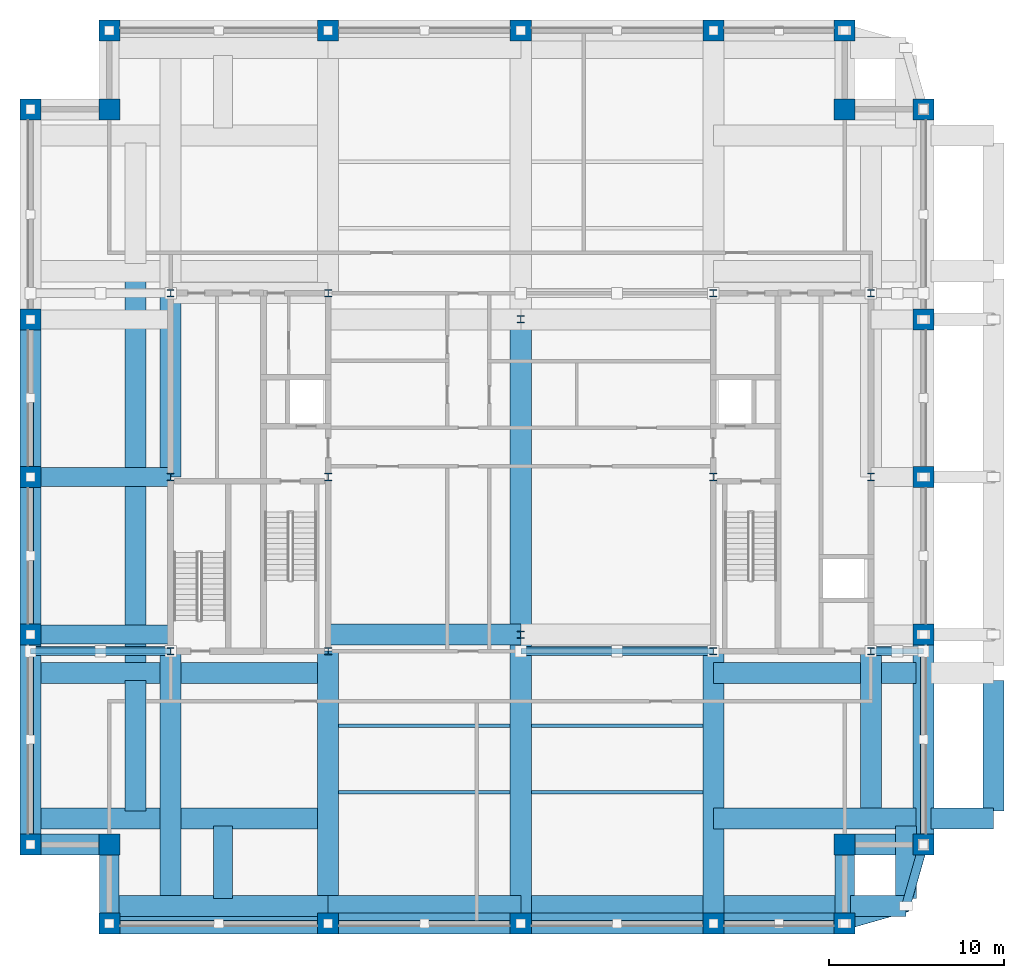
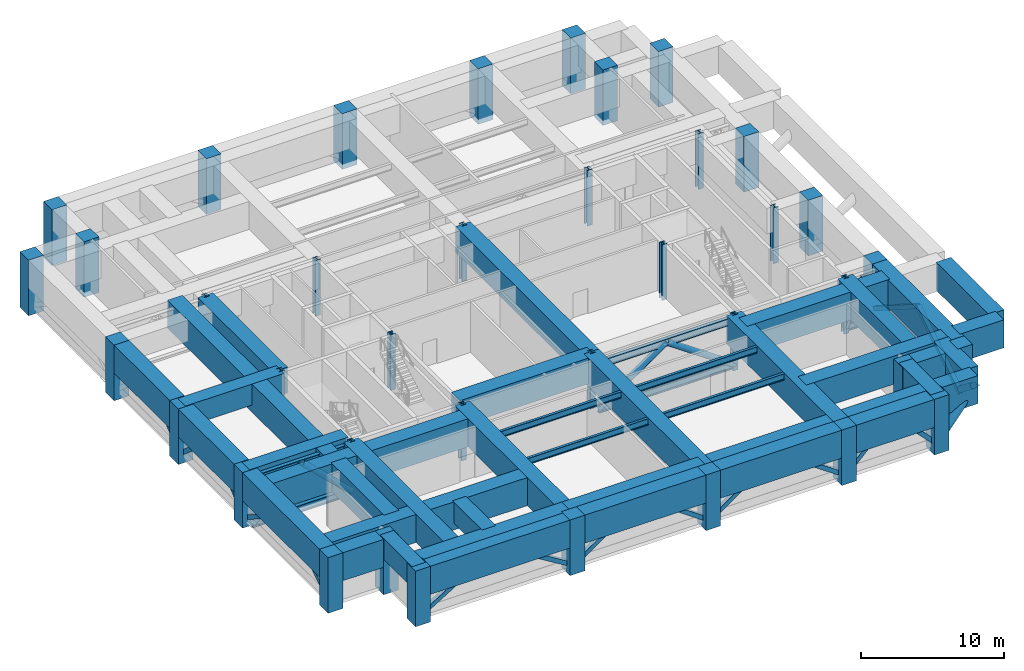
# One storey, part 1 of 10: 40 beams, 38 columns, 27 members.
"""IFC4 building model written with IfcOpenShell, lengths in metres."""

from ifc_helpers import new_model, si_unit, direction, frame, origin, origin_2d, place, context, subcontext, project, spatial, rectangle, hollow_rectangle, hollow_circle, i_section, extrude, material, material_profile, profile_set, type_object, element, save


model = new_model("IFC4")

# Units and contexts
model_context = context("Model", 3, precision=1e-05, world=origin(), true_north=direction((0.0, 1.0)))
body_context = subcontext(model_context, "Body", "Model", "MODEL_VIEW")
ifc_project = project(units=[si_unit("LENGTHUNIT", "METRE"), si_unit("AREAUNIT", "SQUARE_METRE"), si_unit("VOLUMEUNIT", "CUBIC_METRE"), si_unit("PLANEANGLEUNIT", "RADIAN"), si_unit("MASSUNIT", "GRAM", prefix="KILO")], contexts=[model_context])

# Site, building, storey
site_placement = place(None, origin())
site = spatial("IfcSite", under=ifc_project, at=site_placement, CompositionType="ELEMENT")
building_placement = place(site_placement, origin())
building = spatial("IfcBuilding", under=site, at=building_placement, Name="Zulmaris Gate Convention Tower", CompositionType="ELEMENT")
storey_placement = place(building_placement, frame((0.0, 0.0, 153.47998046875)))
storey = spatial("IfcBuildingStorey", under=building, at=storey_placement, Name="L39", CompositionType="ELEMENT", Elevation=153.47998046875)

# Columns
ifc_material_1 = material(Name="Steel S460", Category="steel")
ifc_material_profile_1 = material_profile(ifc_material_1, i_section(OverallWidth=0.412109375, OverallDepth=0.43505859375, WebThickness=0.035888671875, FlangeThickness=0.05810546875, FilletRadius=0.014892578125, at=origin_2d()), Name="HD 400x463")
ifc_profile_set_1 = profile_set([ifc_material_profile_1], Name="Steel S460")
column_type_1 = type_object("IfcColumnType", Name="COL-HD463", PredefinedType="COLUMN", material=ifc_profile_set_1)
for number, where, z_axis, x_axis, name in (
    (1, (-20.0, -9.949951171875, -0.425048828125), (0.0, 0.0, 1.0), (1.0, 0.0, 0.0), "L39 Column IN--20.00_-9.95"),
    (2, (-20.0, 10.5, -0.425048828125), (0.0, 0.0, 1.0), (1.0, 0.0, 0.0), "L39 Column IN--20.00_+10.50"),
    (3, (-11.0, -9.949951171875, -0.425048828125), (0.0, 0.0, 1.0), (1.0, 0.0, 0.0), "L39 Column IN--11.00_-9.95"),
    (4, (-11.0, 0.0, -0.425048828125), (0.0, 0.0, 1.0), (1.0, 0.0, 0.0), "L39 Column IN--11.00_+0.00"),
    (5, (-11.0, 10.5, -0.425048828125), (0.0, 0.0, 1.0), (1.0, 0.0, 0.0), "L39 Column IN--11.00_+10.50"),
    (6, (11.0, -9.949951171875, -0.425048828125), (0.0, 0.0, 1.0), (1.0, 0.0, 0.0), "L39 Column IN-+11.00_-9.95"),
    (7, (11.0, 0.0, -0.425048828125), (0.0, 0.0, 1.0), (1.0, 0.0, 0.0), "L39 Column IN-+11.00_+0.00"),
    (8, (11.0, 10.5, -0.425048828125), (0.0, 0.0, 1.0), (1.0, 0.0, 0.0), "L39 Column IN-+11.00_+10.50"),
    (9, (20.0, -9.949951171875, -0.425048828125), (0.0, 0.0, 1.0), (1.0, 0.0, 0.0), "L39 Column IN-+20.00_-9.95"),
    (10, (20.0, 10.5, -0.425048828125), (0.0, 0.0, 1.0), (1.0, 0.0, 0.0), "L39 Column IN-+20.00_+10.50"),
    (11, (0.0, -9.0, -0.425048828125), (0.0, 0.0, 1.0), (1.0, 0.0, 0.0), "L39 Column IN-+0.00_-9.00"),
    (12, (0.0, 9.0, -0.425048828125), (0.0, 0.0, 1.0), (1.0, 0.0, 0.0), "L39 Column IN-+0.00_+9.00"),
    (13, (-20.0, 0.0, -0.425048828125), (0.0, 0.0, 1.0), (1.0, 0.0, 0.0), "L39 Column IN--20.00_+0.00"),
    (14, (20.0, 0.0, -0.425048828125), (0.0, 0.0, 1.0), (1.0, 0.0, 0.0), "L39 Column IN-+20.00_+0.00"),
):
    element("IfcColumn", number, at=place(storey_placement, frame(where, z_axis=z_axis, x_axis=x_axis)), inside=storey, type_object=column_type_1, Name=name, PredefinedType="COLUMN", context=body_context, shape_type="SweptSolid", body=[
        extrude(i_section(OverallWidth=0.412109375, OverallDepth=0.43505859375, WebThickness=0.035888671875, FlangeThickness=0.05810546875, FilletRadius=0.014892578125, at=origin_2d()), origin(), (0.0, 0.0, 1.0), 4.759765625),
    ])
ifc_material_2 = material(Name="Concrete C70/85", Category="concrete")
ifc_material_profile_2 = material_profile(ifc_material_2, rectangle(XDim=1.199951171875, YDim=1.199951171875, at=origin_2d()), Name="RC COL 1200x1200")
ifc_profile_set_2 = profile_set([ifc_material_profile_2], Name="Concrete C70/85")
column_type_2 = type_object("IfcColumnType", Name="COL-RC1200", PredefinedType="COLUMN", material=ifc_profile_set_2)
for number, where, z_axis, x_axis, name in (
    (15, (-23.5, -25.5, -0.425048828125), (0.0, 0.0, 1.0), (1.0, 0.0, 0.0), "L39 Column PT--23.50_-25.50"),
    (16, (-11.0, -25.5, -0.425048828125), (0.0, 0.0, 1.0), (1.0, 0.0, 0.0), "L39 Column PT--11.00_-25.50"),
    (17, (0.0, -25.5, -0.425048828125), (0.0, 0.0, 1.0), (1.0, 0.0, 0.0), "L39 Column PT-+0.00_-25.50"),
    (18, (11.0, -25.5, -0.425048828125), (0.0, 0.0, 1.0), (1.0, 0.0, 0.0), "L39 Column PT-+11.00_-25.50"),
    (19, (18.5, -25.5, -0.425048828125), (0.0, 0.0, 1.0), (1.0, 0.0, 0.0), "L39 Column PT-+18.50_-25.50"),
    (20, (-23.5, 25.5, -0.425048828125), (0.0, 0.0, 1.0), (1.0, 0.0, 0.0), "L39 Column PT--23.50_+25.50"),
    (21, (-11.0, 25.5, -0.425048828125), (0.0, 0.0, 1.0), (1.0, 0.0, 0.0), "L39 Column PT--11.00_+25.50"),
    (22, (0.0, 25.5, -0.425048828125), (0.0, 0.0, 1.0), (1.0, 0.0, 0.0), "L39 Column PT-+0.00_+25.50"),
    (23, (11.0, 25.5, -0.425048828125), (0.0, 0.0, 1.0), (1.0, 0.0, 0.0), "L39 Column PT-+11.00_+25.50"),
    (24, (18.5, 25.5, -0.425048828125), (0.0, 0.0, 1.0), (1.0, 0.0, 0.0), "L39 Column PT-+18.50_+25.50"),
    (25, (-28.0, -21.0, -0.425048828125), (0.0, 0.0, 1.0), (1.0, 0.0, 0.0), "L39 Column PT--28.00_-21.00"),
    (26, (-28.0, -9.0, -0.425048828125), (0.0, 0.0, 1.0), (1.0, 0.0, 0.0), "L39 Column PT--28.00_-9.00"),
    (27, (-28.0, 0.0, -0.425048828125), (0.0, 0.0, 1.0), (1.0, 0.0, 0.0), "L39 Column PT--28.00_+0.00"),
    (28, (-28.0, 9.0, -0.425048828125), (0.0, 0.0, 1.0), (1.0, 0.0, 0.0), "L39 Column PT--28.00_+9.00"),
    (29, (-28.0, 21.0, -0.425048828125), (0.0, 0.0, 1.0), (1.0, 0.0, 0.0), "L39 Column PT--28.00_+21.00"),
    (30, (23.0, -21.0, -0.425048828125), (0.0, 0.0, 1.0), (1.0, 0.0, 0.0), "L39 Column PT-+23.00_-21.00"),
    (31, (23.0, -9.0, -0.425048828125), (0.0, 0.0, 1.0), (1.0, 0.0, 0.0), "L39 Column PT-+23.00_-9.00"),
    (32, (23.0, 0.0, -0.425048828125), (0.0, 0.0, 1.0), (1.0, 0.0, 0.0), "L39 Column PT-+23.00_+0.00"),
    (33, (23.0, 9.0, -0.425048828125), (0.0, 0.0, 1.0), (1.0, 0.0, 0.0), "L39 Column PT-+23.00_+9.00"),
    (34, (23.0, 21.0, -0.425048828125), (0.0, 0.0, 1.0), (1.0, 0.0, 0.0), "L39 Column PT-+23.00_+21.00"),
    (35, (-23.5, -21.0, -0.425048828125), (0.0, 0.0, 1.0), (1.0, 0.0, 0.0), "L39 Column PT--23.50_-21.00"),
    (36, (18.5, -21.0, -0.425048828125), (0.0, 0.0, 1.0), (1.0, 0.0, 0.0), "L39 Column PT-+18.50_-21.00"),
    (37, (18.5, 21.0, -0.425048828125), (0.0, 0.0, 1.0), (1.0, 0.0, 0.0), "L39 Column PT-+18.50_+21.00"),
    (38, (-23.5, 21.0, -0.425048828125), (0.0, 0.0, 1.0), (1.0, 0.0, 0.0), "L39 Column PT--23.50_+21.00"),
):
    element("IfcColumn", number, at=place(storey_placement, frame(where, z_axis=z_axis, x_axis=x_axis)), inside=storey, type_object=column_type_2, Name=name, PredefinedType="COLUMN", context=body_context, shape_type="SweptSolid", body=[
        extrude(rectangle(XDim=1.199951171875, YDim=1.199951171875, at=origin_2d()), origin(), (0.0, 0.0, 1.0), 4.759765625),
    ])

# Beams
ifc_material_3 = material(Name="Concrete C80/95", Category="concrete")
ifc_material_profile_3 = material_profile(ifc_material_3, rectangle(XDim=1.10009765625, YDim=1.800048828125, at=origin_2d()), Name="RC TRANSFER 1100x1800")
ifc_profile_set_3 = profile_set([ifc_material_profile_3], Name="Concrete C80/95")
beam_type_1 = type_object("IfcBeamType", Name="BM-XFER1800", PredefinedType="BEAM", material=ifc_profile_set_3)
for number, where, z_axis, x_axis, name in (
    (39, (-23.5, -25.5, 3.434814453125), (0.0, 1.0, 0.0), (-1.0, 0.0, 0.0), "L39 Beam XFCOLV-L39-CXWS"),
    (40, (18.5, -25.5, 3.434814453125), (0.0, 1.0, 0.0), (-1.0, 0.0, 0.0), "L39 Beam XFCOLV-L39-CXES"),
):
    element("IfcBeam", number, at=place(storey_placement, frame(where, z_axis=z_axis, x_axis=x_axis)), inside=storey, type_object=beam_type_1, Name=name, PredefinedType="BEAM", context=body_context, shape_type="SweptSolid", body=[
        extrude(rectangle(XDim=1.10009765625, YDim=1.800048828125, at=origin_2d()), origin(), (0.0, 0.0, 1.0), 4.5),
    ])
beam_1_placement = place(storey_placement, frame((-17.0, -24.06494140625, 3.434814453125), z_axis=(0.0, 1.0, 0.0), x_axis=(-1.0, 0.0, 0.0)))
element("IfcBeam", 41, at=beam_1_placement, inside=storey, type_object=beam_type_1, Name="L39 Beam XFNCH-L39-WC--19.5", PredefinedType="BEAM", context=body_context, shape_type="SweptSolid", body=[
    extrude(rectangle(XDim=1.10009765625, YDim=1.800048828125, at=origin_2d()), origin(), (0.0, 0.0, 1.0), 4.1298828125),
])
for number, where, z_axis, x_axis, name in (
    (42, (-28.0, -9.0, 3.434814453125), (1.0, 0.0, 0.0), (0.0, 1.0, 0.0), "L39 Beam BM-L39-G16"),
    (43, (-28.0, 0.0, 3.434814453125), (1.0, 0.0, 0.0), (0.0, 1.0, 0.0), "L39 Beam BM-L39-G17"),
):
    element("IfcBeam", number, at=place(storey_placement, frame(where, z_axis=z_axis, x_axis=x_axis)), inside=storey, type_object=beam_type_1, Name=name, PredefinedType="BEAM", context=body_context, shape_type="SweptSolid", body=[
        extrude(rectangle(XDim=1.10009765625, YDim=1.800048828125, at=origin_2d()), origin(), (0.0, 0.0, 1.0), 8.0),
    ])
ifc_material_profile_4 = material_profile(ifc_material_3, rectangle(XDim=1.199951171875, YDim=2.199951171875, at=origin_2d()), Name="RC TRANSFER 1200x2200")
ifc_profile_set_4 = profile_set([ifc_material_profile_4], Name="Concrete C80/95")
beam_type_2 = type_object("IfcBeamType", Name="BM-XFER2200", PredefinedType="BEAM", material=ifc_profile_set_4)
beam_2_placement = place(storey_placement, frame((-11.0, -9.0, 3.234619140625), z_axis=(1.0, 0.0, 0.0), x_axis=(0.0, 1.0, 0.0)))
element("IfcBeam", 44, at=beam_2_placement, inside=storey, type_object=beam_type_2, Name="L39 Beam BM-L39-G01", PredefinedType="BEAM", context=body_context, shape_type="SweptSolid", body=[
    extrude(rectangle(XDim=1.199951171875, YDim=2.199951171875, at=origin_2d()), origin(), (0.0, 0.0, 1.0), 11.0),
])
beam_3_placement = place(storey_placement, frame((0.0, -9.0, 3.234619140625), z_axis=(0.0, 1.0, 0.0), x_axis=(-1.0, 0.0, 0.0)))
element("IfcBeam", 45, at=beam_3_placement, inside=storey, type_object=beam_type_2, Name="L39 Beam BM-L39-G06", PredefinedType="BEAM", context=body_context, shape_type="SweptSolid", body=[
    extrude(rectangle(XDim=1.199951171875, YDim=2.199951171875, at=origin_2d()), origin(), (0.0, 0.0, 1.0), 18.0),
])
beam_4_placement = place(storey_placement, frame((-20.0, 0.0, 3.234619140625), z_axis=(0.0, 1.0, 0.0), x_axis=(-1.0, 0.0, 0.0)))
element("IfcBeam", 46, at=beam_4_placement, inside=storey, type_object=beam_type_2, Name="L39 Beam BM-L39-G27", PredefinedType="BEAM", context=body_context, shape_type="SweptSolid", body=[
    extrude(rectangle(XDim=1.199951171875, YDim=2.199951171875, at=origin_2d()), origin(), (0.0, 0.0, 1.0), 10.5),
])
ifc_material_profile_5 = material_profile(ifc_material_3, rectangle(XDim=1.199951171875, YDim=2.39990234375, at=origin_2d()), Name="RC TRANSFER 1200x2400")
ifc_profile_set_5 = profile_set([ifc_material_profile_5], Name="Concrete C80/95")
beam_type_3 = type_object("IfcBeamType", Name="BM-XFER2400", PredefinedType="BEAM", material=ifc_profile_set_5)
beam_5_placement = place(storey_placement, frame((-28.0, -21.0, 3.134765625), z_axis=(0.0, 1.0, 0.0), x_axis=(-1.0, 0.0, 0.0)))
element("IfcBeam", 47, at=beam_5_placement, inside=storey, type_object=beam_type_3, Name="L39 Beam XFCOLV-L39-XWS", PredefinedType="BEAM", context=body_context, shape_type="SweptSolid", body=[
    extrude(rectangle(XDim=1.199951171875, YDim=2.39990234375, at=origin_2d()), origin(), (0.0, 0.0, 1.0), 12.0),
])
for number, where, z_axis, x_axis, name in (
    (48, (-28.0, -9.0, 3.134765625), (0.0, 1.0, 0.0), (-1.0, 0.0, 0.0), "L39 Beam XFCOLV-L39-XWM1"),
    (49, (-28.0, 0.0, 3.134765625), (0.0, 1.0, 0.0), (-1.0, 0.0, 0.0), "L39 Beam XFCOLV-L39-XWM2"),
):
    element("IfcBeam", number, at=place(storey_placement, frame(where, z_axis=z_axis, x_axis=x_axis)), inside=storey, type_object=beam_type_3, Name=name, PredefinedType="BEAM", context=body_context, shape_type="SweptSolid", body=[
        extrude(rectangle(XDim=1.199951171875, YDim=2.39990234375, at=origin_2d()), origin(), (0.0, 0.0, 1.0), 9.0),
    ])
beam_6_placement = place(storey_placement, frame((23.0, -21.0, 3.134765625), z_axis=(0.0, 1.0, 0.0), x_axis=(-1.0, 0.0, 0.0)))
element("IfcBeam", 50, at=beam_6_placement, inside=storey, type_object=beam_type_3, Name="L39 Beam XFCOLV-L39-XES", PredefinedType="BEAM", context=body_context, shape_type="SweptSolid", body=[
    extrude(rectangle(XDim=1.199951171875, YDim=2.39990234375, at=origin_2d()), origin(), (0.0, 0.0, 1.0), 12.0),
])
for number, where, z_axis, x_axis, name in (
    (51, (-11.0, -25.5, 3.134765625), (0.0, 1.0, 0.0), (-1.0, 0.0, 0.0), "L39 Beam XFCOLV-L39-C11WS"),
    (52, (11.0, -25.5, 3.134765625), (0.0, 1.0, 0.0), (-1.0, 0.0, 0.0), "L39 Beam XFCOLV-L39-C11ES"),
):
    element("IfcBeam", number, at=place(storey_placement, frame(where, z_axis=z_axis, x_axis=x_axis)), inside=storey, type_object=beam_type_3, Name=name, PredefinedType="BEAM", context=body_context, shape_type="SweptSolid", body=[
        extrude(rectangle(XDim=1.199951171875, YDim=2.39990234375, at=origin_2d()), origin(), (0.0, 0.0, 1.0), 15.550048828125),
    ])
beam_7_placement = place(storey_placement, frame((0.0, -25.5, 3.134765625), z_axis=(0.0, 1.0, 0.0), x_axis=(-1.0, 0.0, 0.0)))
element("IfcBeam", 53, at=beam_7_placement, inside=storey, type_object=beam_type_3, Name="L39 Beam XFCOLV-L39-C0S", PredefinedType="BEAM", context=body_context, shape_type="SweptSolid", body=[
    extrude(rectangle(XDim=1.199951171875, YDim=2.39990234375, at=origin_2d()), origin(), (0.0, 0.0, 1.0), 16.5),
])
beam_8_placement = place(storey_placement, frame((11.0, -19.5, 3.134765625), z_axis=(1.0, 0.0, 0.0), x_axis=(0.0, 1.0, 0.0)))
element("IfcBeam", 54, at=beam_8_placement, inside=storey, type_object=beam_type_3, Name="L39 Beam XFBS-L39-E--19.50", PredefinedType="BEAM", context=body_context, shape_type="SweptSolid", body=[
    extrude(rectangle(XDim=1.199951171875, YDim=2.39990234375, at=origin_2d()), origin(), (0.0, 0.0, 1.0), 11.56494140625),
])
beam_9_placement = place(storey_placement, frame((23.43505859375, -19.5, 3.134765625), z_axis=(1.0, 0.0, 0.0), x_axis=(0.0, 1.0, 0.0)))
element("IfcBeam", 55, at=beam_9_placement, inside=storey, type_object=beam_type_3, Name="L39 Beam XFSF-L39-E--19.50", PredefinedType="BEAM", context=body_context, shape_type="SweptSolid", body=[
    extrude(rectangle(XDim=1.199951171875, YDim=2.39990234375, at=origin_2d()), origin(), (0.0, 0.0, 1.0), 3.56494140625),
])
beam_10_placement = place(storey_placement, frame((11.0, -11.199951171875, 3.134765625), z_axis=(1.0, 0.0, 0.0), x_axis=(0.0, 1.0, 0.0)))
element("IfcBeam", 56, at=beam_10_placement, inside=storey, type_object=beam_type_3, Name="L39 Beam XFBS-L39-E--11.20", PredefinedType="BEAM", context=body_context, shape_type="SweptSolid", body=[
    extrude(rectangle(XDim=1.199951171875, YDim=2.39990234375, at=origin_2d()), origin(), (0.0, 0.0, 1.0), 11.56494140625),
])
beam_11_placement = place(storey_placement, frame((27.0, -19.06494140625, 3.134765625), z_axis=(0.0, 1.0, 0.0), x_axis=(-1.0, 0.0, 0.0)))
element("IfcBeam", 57, at=beam_11_placement, inside=storey, type_object=beam_type_3, Name="L39 Beam XFEDG-L39-ES", PredefinedType="BEAM", context=body_context, shape_type="SweptSolid", body=[
    extrude(rectangle(XDim=1.199951171875, YDim=2.39990234375, at=origin_2d()), origin(), (0.0, 0.0, 1.0), 7.429931640625),
])
beam_12_placement = place(storey_placement, frame((0.43505859375, -24.5, 3.134765625), z_axis=(1.0, 0.0, 0.0), x_axis=(0.0, 1.0, 0.0)))
element("IfcBeam", 58, at=beam_12_placement, inside=storey, type_object=beam_type_3, Name="L39 Beam XFBS-L39-EC--24.5", PredefinedType="BEAM", context=body_context, shape_type="SweptSolid", body=[
    extrude(rectangle(XDim=1.199951171875, YDim=2.39990234375, at=origin_2d()), origin(), (0.0, 0.0, 1.0), 17.72998046875),
])
beam_13_placement = place(storey_placement, frame((18.8349609375, -24.5, 3.134765625), z_axis=(1.0, 0.0, 0.0), x_axis=(0.0, 1.0, 0.0)))
element("IfcBeam", 59, at=beam_13_placement, inside=storey, type_object=beam_type_3, Name="L39 Beam XFSF-L39-EC--24.5", PredefinedType="BEAM", context=body_context, shape_type="SweptSolid", body=[
    extrude(rectangle(XDim=1.199951171875, YDim=2.39990234375, at=origin_2d()), origin(), (0.0, 0.0, 1.0), 3.1650390625),
])
for number, where, z_axis, x_axis, name in (
    (60, (-28.0, -19.5, 3.134765625), (1.0, 0.0, 0.0), (0.0, 1.0, 0.0), "L39 Beam XFREC-L39-W--19.50"),
    (61, (-28.0, -11.199951171875, 3.134765625), (1.0, 0.0, 0.0), (0.0, 1.0, 0.0), "L39 Beam XFREC-L39-W--11.20"),
):
    element("IfcBeam", number, at=place(storey_placement, frame(where, z_axis=z_axis, x_axis=x_axis)), inside=storey, type_object=beam_type_3, Name=name, PredefinedType="BEAM", context=body_context, shape_type="SweptSolid", body=[
        extrude(rectangle(XDim=1.199951171875, YDim=2.39990234375, at=origin_2d()), origin(), (0.0, 0.0, 1.0), 17.0),
    ])
beam_14_placement = place(storey_placement, frame((-22.0, -19.06494140625, 3.134765625), z_axis=(0.0, 1.0, 0.0), x_axis=(-1.0, 0.0, 0.0)))
element("IfcBeam", 62, at=beam_14_placement, inside=storey, type_object=beam_type_3, Name="L39 Beam XFEDG-L39-WS", PredefinedType="BEAM", context=body_context, shape_type="SweptSolid", body=[
    extrude(rectangle(XDim=1.199951171875, YDim=2.39990234375, at=origin_2d()), origin(), (0.0, 0.0, 1.0), 7.429931640625),
])
beam_15_placement = place(storey_placement, frame((-22.0, -10.764892578125, 3.134765625), z_axis=(0.0, 1.0, 0.0), x_axis=(-1.0, 0.0, 0.0)))
element("IfcBeam", 63, at=beam_15_placement, inside=storey, type_object=beam_type_3, Name="L39 Beam XFEDG-L39-WM", PredefinedType="BEAM", context=body_context, shape_type="SweptSolid", body=[
    extrude(rectangle(XDim=1.199951171875, YDim=2.39990234375, at=origin_2d()), origin(), (0.0, 0.0, 1.0), 22.079833984375),
])
beam_16_placement = place(storey_placement, frame((-23.5, -24.5, 3.134765625), z_axis=(1.0, 0.0, 0.0), x_axis=(0.0, 1.0, 0.0)))
element("IfcBeam", 64, at=beam_16_placement, inside=storey, type_object=beam_type_3, Name="L39 Beam XFREC-L39-WC--24.5", PredefinedType="BEAM", context=body_context, shape_type="SweptSolid", body=[
    extrude(rectangle(XDim=1.199951171875, YDim=2.39990234375, at=origin_2d()), origin(), (0.0, 0.0, 1.0), 12.5),
])
beam_17_placement = place(storey_placement, frame((-11.0, -24.5, 3.134765625), z_axis=(1.0, 0.0, 0.0), x_axis=(0.0, 1.0, 0.0)))
element("IfcBeam", 65, at=beam_17_placement, inside=storey, type_object=beam_type_3, Name="L39 Beam XFREC-L39-M1--24.5", PredefinedType="BEAM", context=body_context, shape_type="SweptSolid", body=[
    extrude(rectangle(XDim=1.199951171875, YDim=2.39990234375, at=origin_2d()), origin(), (0.0, 0.0, 1.0), 11.0),
])
beam_18_placement = place(storey_placement, frame((22.0, -24.06494140625, 3.134765625), z_axis=(0.0, 1.0, 0.0), x_axis=(-1.0, 0.0, 0.0)))
element("IfcBeam", 66, at=beam_18_placement, inside=storey, type_object=beam_type_3, Name="L39 Beam XFNCH-L39-EC--19.5", PredefinedType="BEAM", context=body_context, shape_type="SweptSolid", body=[
    extrude(rectangle(XDim=1.199951171875, YDim=2.39990234375, at=origin_2d()), origin(), (0.0, 0.0, 1.0), 4.1298828125),
])
beam_19_placement = place(storey_placement, frame((-23.5, -25.5, 3.134765625), z_axis=(1.0, 0.0, 0.0), x_axis=(0.0, 1.0, 0.0)))
element("IfcBeam", 67, at=beam_19_placement, inside=storey, type_object=beam_type_3, Name="L39 Beam SP-L39-01", PredefinedType="BEAM", context=body_context, shape_type="SweptSolid", body=[
    extrude(rectangle(XDim=1.199951171875, YDim=2.39990234375, at=origin_2d()), origin(), (0.0, 0.0, 1.0), 12.5),
])
for number, where, z_axis, x_axis, name in (
    (68, (-11.0, -25.5, 3.134765625), (1.0, 0.0, 0.0), (0.0, 1.0, 0.0), "L39 Beam SP-L39-02"),
    (69, (0.0, -25.5, 3.134765625), (1.0, 0.0, 0.0), (0.0, 1.0, 0.0), "L39 Beam SP-L39-03"),
):
    element("IfcBeam", number, at=place(storey_placement, frame(where, z_axis=z_axis, x_axis=x_axis)), inside=storey, type_object=beam_type_3, Name=name, PredefinedType="BEAM", context=body_context, shape_type="SweptSolid", body=[
        extrude(rectangle(XDim=1.199951171875, YDim=2.39990234375, at=origin_2d()), origin(), (0.0, 0.0, 1.0), 11.0),
    ])
beam_20_placement = place(storey_placement, frame((11.0, -25.5, 3.134765625), z_axis=(1.0, 0.0, 0.0), x_axis=(0.0, 1.0, 0.0)))
element("IfcBeam", 70, at=beam_20_placement, inside=storey, type_object=beam_type_3, Name="L39 Beam SP-L39-04", PredefinedType="BEAM", context=body_context, shape_type="SweptSolid", body=[
    extrude(rectangle(XDim=1.199951171875, YDim=2.39990234375, at=origin_2d()), origin(), (0.0, 0.0, 1.0), 7.5),
])
for number, where, z_axis, x_axis, name in (
    (71, (18.5, -21.0, 3.134765625), (1.0, 0.0, 0.0), (0.0, 1.0, 0.0), "L39 Beam SP-L39-06"),
    (72, (-28.0, -21.0, 3.134765625), (1.0, 0.0, 0.0), (0.0, 1.0, 0.0), "L39 Beam SP-L39-23"),
):
    element("IfcBeam", number, at=place(storey_placement, frame(where, z_axis=z_axis, x_axis=x_axis)), inside=storey, type_object=beam_type_3, Name=name, PredefinedType="BEAM", context=body_context, shape_type="SweptSolid", body=[
        extrude(rectangle(XDim=1.199951171875, YDim=2.39990234375, at=origin_2d()), origin(), (0.0, 0.0, 1.0), 4.5),
    ])
beam_21_placement = place(storey_placement, frame((-20.0, -25.5, 3.134765625), z_axis=(0.0, 1.0, 0.0), x_axis=(-1.0, 0.0, 0.0)))
element("IfcBeam", 73, at=beam_21_placement, inside=storey, type_object=beam_type_3, Name="L39 Beam BM-L39-G12", PredefinedType="BEAM", context=body_context, shape_type="SweptSolid", body=[
    extrude(rectangle(XDim=1.199951171875, YDim=2.39990234375, at=origin_2d()), origin(), (0.0, 0.0, 1.0), 15.550048828125),
])
beam_22_placement = place(storey_placement, frame((20.0, -18.9150390625, 3.134765625), z_axis=(0.0, 1.0, 0.0), x_axis=(-1.0, 0.0, 0.0)))
element("IfcBeam", 74, at=beam_22_placement, inside=storey, type_object=beam_type_3, Name="L39 Beam BM-L39-G14", PredefinedType="BEAM", context=body_context, shape_type="SweptSolid", body=[
    extrude(rectangle(XDim=1.199951171875, YDim=2.39990234375, at=origin_2d()), origin(), (0.0, 0.0, 1.0), 8.965087890625),
])

# Members
ifc_material_profile_6 = material_profile(ifc_material_1, hollow_circle(Radius=0.25390625, WallThickness=0.02490234375, at=origin_2d()), Name="CHS 508x25")
ifc_profile_set_6 = profile_set([ifc_material_profile_6], Name="Steel S460")
member_type_1 = type_object("IfcMemberType", Name="BR-CHS508", PredefinedType="BRACE", material=ifc_profile_set_6)
member_1_placement = place(storey_placement, frame((23.0, -21.0, 0.35009765625), z_axis=(-0.218195159141, -0.763683056993, 0.607601070596), x_axis=(0.961523947641, -0.274721127897, 0.0)))
element("IfcMember", 75, at=member_1_placement, inside=storey, type_object=member_type_1, Name="L39 Shifted Block Notch Web Strut EC -24.5", PredefinedType="BRACE", context=body_context, shape_type="SweptSolid", body=[
    extrude(hollow_circle(Radius=0.25390625, WallThickness=0.02490234375, at=origin_2d()), origin(), (0.0, 0.0, 1.0), 4.5830078125),
])
for number, where, z_axis, x_axis, name in (
    (76, (-28.0, -9.949951171875, 0.0), (0.721863472383, 0.0, 0.69203549565), (0.0, 1.0, 0.0), "L39 Outrigger Truss Diagonal OT-L39-DG--9.9--28-A"),
    (77, (-24.0, -9.949951171875, 3.834716796875), (0.721863472383, 0.0, -0.69203549565), (0.0, 1.0, 0.0), "L39 Outrigger Truss Diagonal OT-L39-DG--9.9--28-B"),
):
    element("IfcMember", number, at=place(storey_placement, frame(where, z_axis=z_axis, x_axis=x_axis)), inside=storey, type_object=member_type_1, Name=name, PredefinedType="BRACE", context=body_context, shape_type="SweptSolid", body=[
        extrude(hollow_circle(Radius=0.25390625, WallThickness=0.02490234375, at=origin_2d()), origin(), (0.0, 0.0, 1.0), 5.541259765625),
    ])
member_2_placement = place(storey_placement, frame((20.0, -9.949951171875, 0.0), z_axis=(0.364285331726, 0.0, 0.931287386949), x_axis=(0.0, 1.0, 0.0)))
element("IfcMember", 78, at=member_2_placement, inside=storey, type_object=member_type_1, Name="L39 Outrigger Truss Diagonal OT-L39-DG--9.9-+20-A", PredefinedType="BRACE", context=body_context, shape_type="SweptSolid", body=[
    extrude(hollow_circle(Radius=0.25390625, WallThickness=0.02490234375, at=origin_2d()), origin(), (0.0, 0.0, 1.0), 4.11767578125),
])
for number, where, z_axis, x_axis, name in (
    (79, (0.0, -9.949951171875, 0.0), (0.820301362513, 0.0, 0.571931529696), (0.0, 1.0, 0.0), "L39 Outrigger Truss Diagonal OT-L39-DG--9.9-+0-A"),
    (80, (5.5, -9.949951171875, 3.834716796875), (0.820301362513, 0.0, -0.571931529696), (0.0, 1.0, 0.0), "L39 Outrigger Truss Diagonal OT-L39-DG--9.9-+0-B"),
):
    element("IfcMember", number, at=place(storey_placement, frame(where, z_axis=z_axis, x_axis=x_axis)), inside=storey, type_object=member_type_1, Name=name, PredefinedType="BRACE", context=body_context, shape_type="SweptSolid", body=[
        extrude(hollow_circle(Radius=0.25390625, WallThickness=0.02490234375, at=origin_2d()), origin(), (0.0, 0.0, 1.0), 6.704833984375),
    ])
ifc_material_profile_7 = material_profile(ifc_material_1, hollow_circle(Radius=0.35546875, WallThickness=0.035888671875, at=origin_2d()), Name="CHS 711x36")
ifc_profile_set_7 = profile_set([ifc_material_profile_7], Name="Steel S460")
member_type_2 = type_object("IfcMemberType", Name="BR-CHS711", PredefinedType="BRACE", material=ifc_profile_set_7)
member_3_placement = place(storey_placement, frame((18.5, -25.5, 0.35009765625), z_axis=(0.763683056993, 0.218195159141, 0.607601070596), x_axis=(-0.274721127897, 0.961523947641, 0.0)))
element("IfcMember", 81, at=member_3_placement, inside=storey, type_object=member_type_2, Name="L39 Shifted Block Corner Raking Strut EC -24.5", PredefinedType="BRACE", context=body_context, shape_type="SweptSolid", body=[
    extrude(hollow_circle(Radius=0.35546875, WallThickness=0.035888671875, at=origin_2d()), origin(), (0.0, 0.0, 1.0), 4.5830078125),
])
ifc_material_profile_8 = material_profile(ifc_material_1, hollow_rectangle(XDim=0.35009765625, YDim=0.35009765625, WallThickness=0.01611328125, at=origin_2d()), Name="SHS 350x350x16")
ifc_profile_set_8 = profile_set([ifc_material_profile_8], Name="Steel S460")
member_type_3 = type_object("IfcMemberType", Name="BR-SHS350", PredefinedType="BRACE", material=ifc_profile_set_8)
for number, where, z_axis, x_axis, name in (
    (82, (-23.5, -25.5, 0.0), (0.852353760901, 0.0, 0.522965645409), (0.0, 1.0, 0.0), "L39 Perimeter Belt Truss Diagonal 01-1"),
    (83, (-17.25, -25.5, 3.834716796875), (0.852353760901, 0.0, -0.522965645409), (0.0, 1.0, 0.0), "L39 Perimeter Belt Truss Diagonal 01-2"),
):
    element("IfcMember", number, at=place(storey_placement, frame(where, z_axis=z_axis, x_axis=x_axis)), inside=storey, type_object=member_type_3, Name=name, PredefinedType="BRACE", context=body_context, shape_type="SweptSolid", body=[
        extrude(hollow_rectangle(XDim=0.35009765625, YDim=0.35009765625, WallThickness=0.01611328125, at=origin_2d()), origin(), (0.0, 0.0, 1.0), 7.33251953125),
    ])
for number, where, z_axis, x_axis, name in (
    (84, (-11.0, -25.5, 0.0), (0.820301362513, 0.0, 0.571931529696), (0.0, 1.0, 0.0), "L39 Perimeter Belt Truss Diagonal 02-1"),
    (85, (-5.5, -25.5, 3.834716796875), (0.820301362513, 0.0, -0.571931529696), (0.0, 1.0, 0.0), "L39 Perimeter Belt Truss Diagonal 02-2"),
    (86, (0.0, -25.5, 0.0), (0.820301362513, 0.0, 0.571931529696), (0.0, 1.0, 0.0), "L39 Perimeter Belt Truss Diagonal 03-1"),
    (87, (5.5, -25.5, 3.834716796875), (0.820301362513, 0.0, -0.571931529696), (0.0, 1.0, 0.0), "L39 Perimeter Belt Truss Diagonal 03-2"),
):
    element("IfcMember", number, at=place(storey_placement, frame(where, z_axis=z_axis, x_axis=x_axis)), inside=storey, type_object=member_type_3, Name=name, PredefinedType="BRACE", context=body_context, shape_type="SweptSolid", body=[
        extrude(hollow_rectangle(XDim=0.35009765625, YDim=0.35009765625, WallThickness=0.01611328125, at=origin_2d()), origin(), (0.0, 0.0, 1.0), 6.704833984375),
    ])
for number, where, z_axis, x_axis, name in (
    (88, (11.0, -25.5, 0.0), (0.699165205956, 0.0, 0.714960149085), (0.0, 1.0, 0.0), "L39 Perimeter Belt Truss Diagonal 04-1"),
    (89, (14.75, -25.5, 3.834716796875), (0.699165205956, 0.0, -0.714960149085), (0.0, 1.0, 0.0), "L39 Perimeter Belt Truss Diagonal 04-2"),
):
    element("IfcMember", number, at=place(storey_placement, frame(where, z_axis=z_axis, x_axis=x_axis)), inside=storey, type_object=member_type_3, Name=name, PredefinedType="BRACE", context=body_context, shape_type="SweptSolid", body=[
        extrude(hollow_rectangle(XDim=0.35009765625, YDim=0.35009765625, WallThickness=0.01611328125, at=origin_2d()), origin(), (0.0, 0.0, 1.0), 5.363525390625),
    ])
for number, where, z_axis, x_axis, name in (
    (90, (-28.0, -21.0, 0.0), (0.0, 0.842608101106, 0.538527239749), (-1.0, 0.0, 0.0), "L39 Perimeter Belt Truss Diagonal 09-1"),
    (91, (-28.0, -15.0, 3.834716796875), (0.0, 0.842608101106, -0.538527239749), (-1.0, 0.0, 0.0), "L39 Perimeter Belt Truss Diagonal 09-2"),
):
    element("IfcMember", number, at=place(storey_placement, frame(where, z_axis=z_axis, x_axis=x_axis)), inside=storey, type_object=member_type_3, Name=name, PredefinedType="BRACE", context=body_context, shape_type="SweptSolid", body=[
        extrude(hollow_rectangle(XDim=0.35009765625, YDim=0.35009765625, WallThickness=0.01611328125, at=origin_2d()), origin(), (0.0, 0.0, 1.0), 7.120849609375),
    ])
for number, where, z_axis, x_axis, name in (
    (92, (-28.0, -9.0, 0.0), (0.0, 0.761127707316, 0.648602045291), (-1.0, 0.0, 0.0), "L39 Perimeter Belt Truss Diagonal 10-1"),
    (93, (-28.0, -4.5, 3.834716796875), (0.0, 0.761127707316, -0.648602045291), (-1.0, 0.0, 0.0), "L39 Perimeter Belt Truss Diagonal 10-2"),
    (94, (-28.0, 0.0, 0.0), (0.0, 0.761127707316, 0.648602045291), (-1.0, 0.0, 0.0), "L39 Perimeter Belt Truss Diagonal 11-1"),
):
    element("IfcMember", number, at=place(storey_placement, frame(where, z_axis=z_axis, x_axis=x_axis)), inside=storey, type_object=member_type_3, Name=name, PredefinedType="BRACE", context=body_context, shape_type="SweptSolid", body=[
        extrude(hollow_rectangle(XDim=0.35009765625, YDim=0.35009765625, WallThickness=0.01611328125, at=origin_2d()), origin(), (0.0, 0.0, 1.0), 5.912353515625),
    ])
for number, where, z_axis, x_axis, name in (
    (95, (23.0, -21.0, 0.0), (0.0, 0.842608101106, 0.538527239749), (-1.0, 0.0, 0.0), "L39 Perimeter Belt Truss Diagonal 13-1"),
    (96, (23.0, -15.0, 3.834716796875), (0.0, 0.842608101106, -0.538527239749), (-1.0, 0.0, 0.0), "L39 Perimeter Belt Truss Diagonal 13-2"),
):
    element("IfcMember", number, at=place(storey_placement, frame(where, z_axis=z_axis, x_axis=x_axis)), inside=storey, type_object=member_type_3, Name=name, PredefinedType="BRACE", context=body_context, shape_type="SweptSolid", body=[
        extrude(hollow_rectangle(XDim=0.35009765625, YDim=0.35009765625, WallThickness=0.01611328125, at=origin_2d()), origin(), (0.0, 0.0, 1.0), 7.120849609375),
    ])
ifc_material_profile_9 = material_profile(ifc_material_1, i_section(OverallWidth=0.304931640625, OverallDepth=0.6201171875, WebThickness=0.02099609375, FlangeThickness=0.0400390625, FilletRadius=0.027099609375, at=origin_2d()), Name="HEM 600")
ifc_profile_set_9 = profile_set([ifc_material_profile_9], Name="Steel S460")
member_type_4 = type_object("IfcMemberType", Name="CH-HEM600", PredefinedType="CHORD", material=ifc_profile_set_9)
for number, where, z_axis, x_axis, name in (
    (97, (-28.0, -9.949951171875, 0.0), (1.0, 0.0, 0.0), (0.0, 1.0, 0.0), "L39 Outrigger Truss Bottom Chord -9.9"),
    (98, (-28.0, -9.949951171875, 3.834716796875), (1.0, 0.0, 0.0), (0.0, 1.0, 0.0), "L39 Outrigger Truss Top Chord -9.9"),
):
    element("IfcMember", number, at=place(storey_placement, frame(where, z_axis=z_axis, x_axis=x_axis)), inside=storey, type_object=member_type_4, Name=name, PredefinedType="CHORD", context=body_context, shape_type="SweptSolid", body=[
        extrude(i_section(OverallWidth=0.304931640625, OverallDepth=0.6201171875, WebThickness=0.02099609375, FlangeThickness=0.0400390625, FilletRadius=0.027099609375, at=origin_2d()), origin(), (0.0, 0.0, 1.0), 8.0),
    ])
member_4_placement = place(storey_placement, frame((20.0, -9.949951171875, 0.0), z_axis=(1.0, 0.0, 0.0), x_axis=(0.0, 1.0, 0.0)))
element("IfcMember", 99, at=member_4_placement, inside=storey, type_object=member_type_4, Name="L39 Outrigger Truss Bottom Chord -9.9", PredefinedType="CHORD", context=body_context, shape_type="SweptSolid", body=[
    extrude(i_section(OverallWidth=0.304931640625, OverallDepth=0.6201171875, WebThickness=0.02099609375, FlangeThickness=0.0400390625, FilletRadius=0.027099609375, at=origin_2d()), origin(), (0.0, 0.0, 1.0), 3.0),
])
for number, where, z_axis, x_axis, name in (
    (100, (0.0, -9.949951171875, 0.0), (1.0, 0.0, 0.0), (0.0, 1.0, 0.0), "L39 Outrigger Truss Bottom Chord -9.9"),
    (101, (0.0, -9.949951171875, 3.834716796875), (1.0, 0.0, 0.0), (0.0, 1.0, 0.0), "L39 Outrigger Truss Top Chord -9.9"),
):
    element("IfcMember", number, at=place(storey_placement, frame(where, z_axis=z_axis, x_axis=x_axis)), inside=storey, type_object=member_type_4, Name=name, PredefinedType="CHORD", context=body_context, shape_type="SweptSolid", body=[
        extrude(i_section(OverallWidth=0.304931640625, OverallDepth=0.6201171875, WebThickness=0.02099609375, FlangeThickness=0.0400390625, FilletRadius=0.027099609375, at=origin_2d()), origin(), (0.0, 0.0, 1.0), 11.0),
    ])

# Beams
ifc_material_4 = material(Name="Steel S355", Category="steel")
ifc_material_profile_10 = material_profile(ifc_material_4, i_section(OverallWidth=0.2099609375, OverallDepth=0.550048828125, WebThickness=0.010986328125, FlangeThickness=0.01708984375, FilletRadius=0.02392578125, at=origin_2d()), Name="IPE 550")
ifc_profile_set_10 = profile_set([ifc_material_profile_10], Name="Steel S355")
beam_type_4 = type_object("IfcBeamType", Name="JT-IPE550", PredefinedType="JOIST", material=ifc_profile_set_10)
for number, where, z_axis, x_axis, name in (
    (102, (-10.39990234375, -18.0, 4.0576171875), (1.0, 0.0, 0.0), (0.0, 1.0, 0.0), "L39 Joist JT-L39-CW--18.0"),
    (103, (0.60009765625, -18.0, 4.0576171875), (1.0, 0.0, 0.0), (0.0, 1.0, 0.0), "L39 Joist JT-L39-CE--18.0"),
    (104, (-10.39990234375, -14.199951171875, 4.0576171875), (1.0, 0.0, 0.0), (0.0, 1.0, 0.0), "L39 Joist JT-L39-CW--14.2"),
    (105, (0.60009765625, -14.199951171875, 4.0576171875), (1.0, 0.0, 0.0), (0.0, 1.0, 0.0), "L39 Joist JT-L39-CE--14.2"),
):
    element("IfcBeam", number, at=place(storey_placement, frame(where, z_axis=z_axis, x_axis=x_axis)), inside=storey, type_object=beam_type_4, Name=name, PredefinedType="JOIST", context=body_context, shape_type="SweptSolid", body=[
        extrude(i_section(OverallWidth=0.2099609375, OverallDepth=0.550048828125, WebThickness=0.010986328125, FlangeThickness=0.01708984375, FilletRadius=0.02392578125, at=origin_2d()), origin(), (0.0, 0.0, 1.0), 9.7998046875),
    ])

save(model, "model.ifc")
